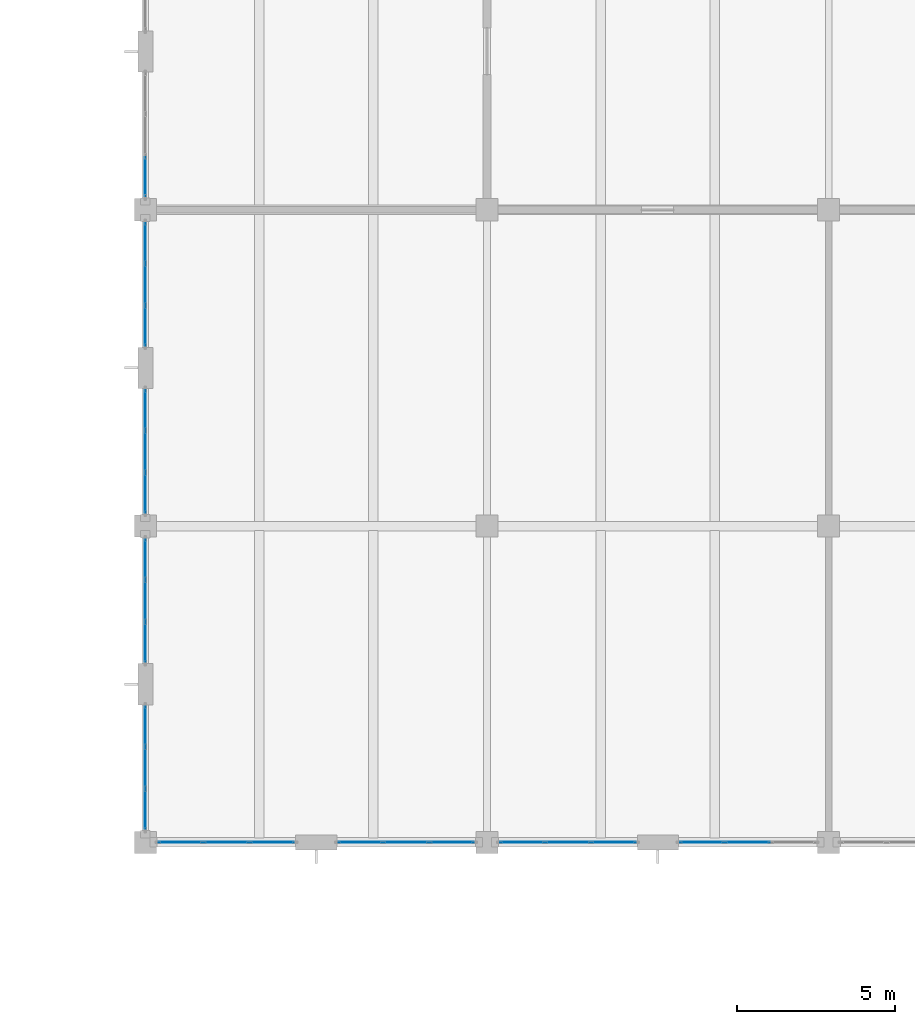
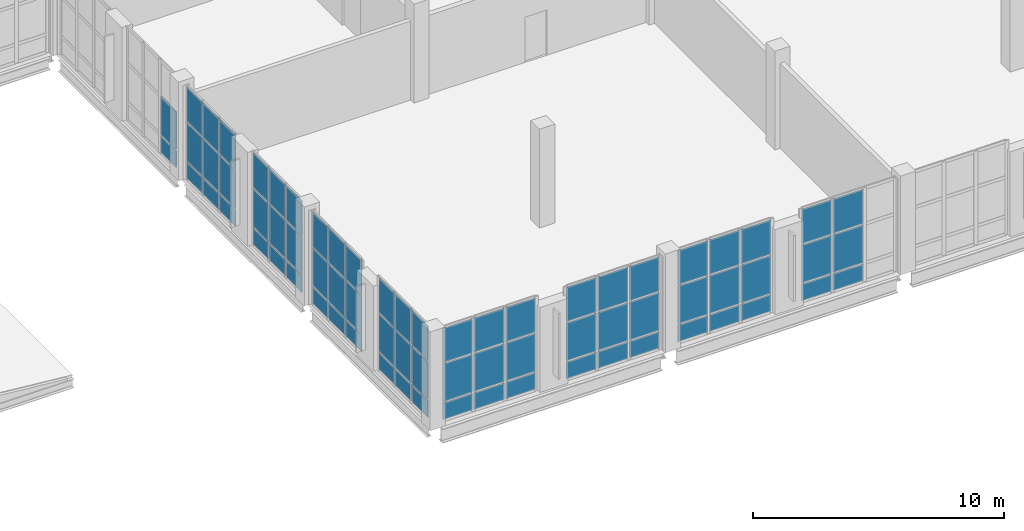
# One storey, part 58 of 92: 71 plates, 9 elements without a shape of their own.
"""IFC4 building model written with IfcOpenShell, lengths in metres."""

from ifc_helpers import new_model, si_unit, direction, frame, origin, origin_2d, place, context, subcontext, project, spatial, rectangle, extrude, material, layer, layer_set, type_object, element, aggregate, save


model = new_model("IFC4")

# Units and contexts
model_context = context("Model", 3, precision=1e-05, world=origin(), true_north=direction((0.0, 1.0)))
body_context = subcontext(model_context, "Body", "Model", "MODEL_VIEW")
ifc_project = project(units=[si_unit("LENGTHUNIT", "METRE"), si_unit("AREAUNIT", "SQUARE_METRE"), si_unit("VOLUMEUNIT", "CUBIC_METRE"), si_unit("PLANEANGLEUNIT", "RADIAN"), si_unit("MASSUNIT", "GRAM", prefix="KILO")], contexts=[model_context])

# Site, building, storey
site_placement = place(None, origin())
site = spatial("IfcSite", under=ifc_project, at=site_placement, CompositionType="ELEMENT")
building_placement = place(site_placement, origin())
building = spatial("IfcBuilding", under=site, at=building_placement, Name="Tasgan Crest Museum", CompositionType="ELEMENT")
storey_placement = place(building_placement, frame((0.0, 0.0, 4.800048828125)))
storey = spatial("IfcBuildingStorey", under=building, at=storey_placement, Name="L01", CompositionType="ELEMENT", Elevation=4.800048828125)

# Curtain wall, plate
ifc_material_1 = material(Name="Triple-Glazed Aluminium Curtain Wall", Category="aluminium")
ifc_layer_1 = layer(ifc_material_1, 0.179931640625, Name="CW-PORCH-Y")
ifc_layer_set_1 = layer_set([ifc_layer_1], Name="Triple-Glazed Aluminium Curtain Wall")
curtain_wall_type_1 = type_object("IfcCurtainWallType", Name="CW-PORCH-Y", PredefinedType="NOTDEFINED", material=ifc_layer_set_1)
curtain_wall_1_placement = place(storey_placement, origin())
curtain_wall_1 = element("IfcCurtainWall", 1, at=curtain_wall_1_placement, inside=storey, type_object=curtain_wall_type_1, Name="Curtain wall L01 038", PredefinedType="NOTDEFINED")
ifc_material_2 = material(Name="Insulated Spandrel Glass", Category="glass")
ifc_layer_2 = layer(ifc_material_2, 0.052001953125, Name="CW-PANEL-SPANDREL")
ifc_layer_set_2 = layer_set([ifc_layer_2], Name="Insulated Spandrel Glass")
plate_type_1 = type_object("IfcPlateType", Name="CW-PANEL-SPANDREL", PredefinedType="CURTAIN_PANEL", material=ifc_layer_set_2)
plate_1_placement = place(storey_placement, frame((108.0, 31.044921875, 0.059814453125), z_axis=(0.0, 0.0, 1.0), x_axis=(0.0, -1.0, 0.0)))
plate_1 = element("IfcPlate", 2, at=plate_1_placement, type_object=plate_type_1, Name="CW02 panel 3.1", PredefinedType="CURTAIN_PANEL", context=body_context, shape_type="SweptSolid", body=[
    extrude(rectangle(XDim=1.239990234375, YDim=0.028076171875, at=origin_2d()), origin(), (0.0, 0.0, 1.0), 0.81005859375),
])

# Curtain wall, plates
curtain_wall_2_placement = place(storey_placement, origin())
curtain_wall_2 = element("IfcCurtainWall", 3, at=curtain_wall_2_placement, inside=storey, type_object=curtain_wall_type_1, Name="Curtain wall L01 039", PredefinedType="NOTDEFINED")
plate_2_placement = place(storey_placement, frame((108.0, 28.955078125, 0.059814453125), z_axis=(0.0, 0.0, 1.0), x_axis=(0.0, -1.0, 0.0)))
plate_2 = element("IfcPlate", 4, at=plate_2_placement, type_object=plate_type_1, Name="CW02 panel 1.1", PredefinedType="CURTAIN_PANEL", context=body_context, shape_type="SweptSolid", body=[
    extrude(rectangle(XDim=1.239990234375, YDim=0.028076171875, at=origin_2d()), origin(), (0.0, 0.0, 1.0), 0.81005859375),
])
plate_3_placement = place(storey_placement, frame((108.0, 27.639892578125, 0.059814453125), z_axis=(0.0, 0.0, 1.0), x_axis=(0.0, -1.0, 0.0)))
plate_3 = element("IfcPlate", 5, at=plate_3_placement, type_object=plate_type_1, Name="CW02 panel 2.1", PredefinedType="CURTAIN_PANEL", context=body_context, shape_type="SweptSolid", body=[
    extrude(rectangle(XDim=1.27001953125, YDim=0.028076171875, at=origin_2d()), origin(), (0.0, 0.0, 1.0), 0.81005859375),
])
plate_4_placement = place(storey_placement, frame((108.0, 26.324951171875, 0.059814453125), z_axis=(0.0, 0.0, 1.0), x_axis=(0.0, -1.0, 0.0)))
plate_4 = element("IfcPlate", 6, at=plate_4_placement, type_object=plate_type_1, Name="CW02 panel 3.1", PredefinedType="CURTAIN_PANEL", context=body_context, shape_type="SweptSolid", body=[
    extrude(rectangle(XDim=1.239990234375, YDim=0.028076171875, at=origin_2d()), origin(), (0.0, 0.0, 1.0), 0.81005859375),
])

curtain_wall_3_placement = place(storey_placement, origin())
curtain_wall_3 = element("IfcCurtainWall", 7, at=curtain_wall_3_placement, inside=storey, type_object=curtain_wall_type_1, Name="Curtain wall L01 040", PredefinedType="NOTDEFINED")
plate_5_placement = place(storey_placement, frame((108.0, 23.675048828125, 0.059814453125), z_axis=(0.0, 0.0, 1.0), x_axis=(0.0, -1.0, 0.0)))
plate_5 = element("IfcPlate", 8, at=plate_5_placement, type_object=plate_type_1, Name="CW02 panel 1.1", PredefinedType="CURTAIN_PANEL", context=body_context, shape_type="SweptSolid", body=[
    extrude(rectangle(XDim=1.239990234375, YDim=0.028076171875, at=origin_2d()), origin(), (0.0, 0.0, 1.0), 0.81005859375),
])
plate_6_placement = place(storey_placement, frame((108.0, 22.360107421875, 0.059814453125), z_axis=(0.0, 0.0, 1.0), x_axis=(0.0, -1.0, 0.0)))
plate_6 = element("IfcPlate", 9, at=plate_6_placement, type_object=plate_type_1, Name="CW02 panel 2.1", PredefinedType="CURTAIN_PANEL", context=body_context, shape_type="SweptSolid", body=[
    extrude(rectangle(XDim=1.27001953125, YDim=0.028076171875, at=origin_2d()), origin(), (0.0, 0.0, 1.0), 0.81005859375),
])
plate_7_placement = place(storey_placement, frame((108.0, 21.044921875, 0.059814453125), z_axis=(0.0, 0.0, 1.0), x_axis=(0.0, -1.0, 0.0)))
plate_7 = element("IfcPlate", 10, at=plate_7_placement, type_object=plate_type_1, Name="CW02 panel 3.1", PredefinedType="CURTAIN_PANEL", context=body_context, shape_type="SweptSolid", body=[
    extrude(rectangle(XDim=1.239990234375, YDim=0.028076171875, at=origin_2d()), origin(), (0.0, 0.0, 1.0), 0.81005859375),
])

curtain_wall_4_placement = place(storey_placement, origin())
curtain_wall_4 = element("IfcCurtainWall", 11, at=curtain_wall_4_placement, inside=storey, type_object=curtain_wall_type_1, Name="Curtain wall L01 041", PredefinedType="NOTDEFINED")
plate_8_placement = place(storey_placement, frame((108.0, 18.955078125, 0.059814453125), z_axis=(0.0, 0.0, 1.0), x_axis=(0.0, -1.0, 0.0)))
plate_8 = element("IfcPlate", 12, at=plate_8_placement, type_object=plate_type_1, Name="CW02 panel 1.1", PredefinedType="CURTAIN_PANEL", context=body_context, shape_type="SweptSolid", body=[
    extrude(rectangle(XDim=1.239990234375, YDim=0.028076171875, at=origin_2d()), origin(), (0.0, 0.0, 1.0), 0.81005859375),
])
plate_9_placement = place(storey_placement, frame((108.0, 17.639892578125, 0.059814453125), z_axis=(0.0, 0.0, 1.0), x_axis=(0.0, -1.0, 0.0)))
plate_9 = element("IfcPlate", 13, at=plate_9_placement, type_object=plate_type_1, Name="CW02 panel 2.1", PredefinedType="CURTAIN_PANEL", context=body_context, shape_type="SweptSolid", body=[
    extrude(rectangle(XDim=1.27001953125, YDim=0.028076171875, at=origin_2d()), origin(), (0.0, 0.0, 1.0), 0.81005859375),
])
plate_10_placement = place(storey_placement, frame((108.0, 16.324951171875, 0.059814453125), z_axis=(0.0, 0.0, 1.0), x_axis=(0.0, -1.0, 0.0)))
plate_10 = element("IfcPlate", 14, at=plate_10_placement, type_object=plate_type_1, Name="CW02 panel 3.1", PredefinedType="CURTAIN_PANEL", context=body_context, shape_type="SweptSolid", body=[
    extrude(rectangle(XDim=1.239990234375, YDim=0.028076171875, at=origin_2d()), origin(), (0.0, 0.0, 1.0), 0.81005859375),
])

curtain_wall_5_placement = place(storey_placement, origin())
curtain_wall_5 = element("IfcCurtainWall", 15, at=curtain_wall_5_placement, inside=storey, type_object=curtain_wall_type_1, Name="Curtain wall L01 042", PredefinedType="NOTDEFINED")
plate_11_placement = place(storey_placement, frame((108.0, 13.675048828125, 0.059814453125), z_axis=(0.0, 0.0, 1.0), x_axis=(0.0, -1.0, 0.0)))
plate_11 = element("IfcPlate", 16, at=plate_11_placement, type_object=plate_type_1, Name="CW02 panel 1.1", PredefinedType="CURTAIN_PANEL", context=body_context, shape_type="SweptSolid", body=[
    extrude(rectangle(XDim=1.239990234375, YDim=0.028076171875, at=origin_2d()), origin(), (0.0, 0.0, 1.0), 0.81005859375),
])
plate_12_placement = place(storey_placement, frame((108.0, 12.360107421875, 0.059814453125), z_axis=(0.0, 0.0, 1.0), x_axis=(0.0, -1.0, 0.0)))
plate_12 = element("IfcPlate", 17, at=plate_12_placement, type_object=plate_type_1, Name="CW02 panel 2.1", PredefinedType="CURTAIN_PANEL", context=body_context, shape_type="SweptSolid", body=[
    extrude(rectangle(XDim=1.27001953125, YDim=0.028076171875, at=origin_2d()), origin(), (0.0, 0.0, 1.0), 0.81005859375),
])
plate_13_placement = place(storey_placement, frame((108.0, 11.044921875, 0.059814453125), z_axis=(0.0, 0.0, 1.0), x_axis=(0.0, -1.0, 0.0)))
plate_13 = element("IfcPlate", 18, at=plate_13_placement, type_object=plate_type_1, Name="CW02 panel 3.1", PredefinedType="CURTAIN_PANEL", context=body_context, shape_type="SweptSolid", body=[
    extrude(rectangle(XDim=1.239990234375, YDim=0.028076171875, at=origin_2d()), origin(), (0.0, 0.0, 1.0), 0.81005859375),
])

ifc_material_3 = material(Name="Triple-Glazed Aluminium Curtain Wall", Category="aluminium")
ifc_layer_3 = layer(ifc_material_3, 0.179931640625, Name="CW-PORCH-X")
ifc_layer_set_3 = layer_set([ifc_layer_3], Name="Triple-Glazed Aluminium Curtain Wall")
curtain_wall_type_2 = type_object("IfcCurtainWallType", Name="CW-PORCH-X", PredefinedType="NOTDEFINED", material=ifc_layer_set_3)
curtain_wall_6_placement = place(storey_placement, origin())
curtain_wall_6 = element("IfcCurtainWall", 19, at=curtain_wall_6_placement, inside=storey, type_object=curtain_wall_type_2, Name="Curtain wall L01 043", PredefinedType="NOTDEFINED")
plate_14_placement = place(storey_placement, frame((109.111572265625, 10.0, 0.059814453125), z_axis=(0.0, 0.0, 1.0), x_axis=(1.0, 0.0, 0.0)))
plate_14 = element("IfcPlate", 20, at=plate_14_placement, type_object=plate_type_1, Name="CW01 panel 1.1", PredefinedType="CURTAIN_PANEL", context=body_context, shape_type="SweptSolid", body=[
    extrude(rectangle(XDim=1.373291015625, YDim=0.028076171875, at=origin_2d()), origin(), (0.0, 0.0, 1.0), 0.81005859375),
])
plate_15_placement = place(storey_placement, frame((110.56005859375, 10.0, 0.059814453125), z_axis=(0.0, 0.0, 1.0), x_axis=(1.0, 0.0, 0.0)))
plate_15 = element("IfcPlate", 21, at=plate_15_placement, type_object=plate_type_1, Name="CW01 panel 2.1", PredefinedType="CURTAIN_PANEL", context=body_context, shape_type="SweptSolid", body=[
    extrude(rectangle(XDim=1.4033203125, YDim=0.028076171875, at=origin_2d()), origin(), (0.0, 0.0, 1.0), 0.81005859375),
])
plate_16_placement = place(storey_placement, frame((112.00830078125, 10.0, 0.059814453125), z_axis=(0.0, 0.0, 1.0), x_axis=(1.0, 0.0, 0.0)))
plate_16 = element("IfcPlate", 22, at=plate_16_placement, type_object=plate_type_1, Name="CW01 panel 3.1", PredefinedType="CURTAIN_PANEL", context=body_context, shape_type="SweptSolid", body=[
    extrude(rectangle(XDim=1.373291015625, YDim=0.028076171875, at=origin_2d()), origin(), (0.0, 0.0, 1.0), 0.81005859375),
])

curtain_wall_7_placement = place(storey_placement, origin())
curtain_wall_7 = element("IfcCurtainWall", 23, at=curtain_wall_7_placement, inside=storey, type_object=curtain_wall_type_2, Name="Curtain wall L01 044", PredefinedType="NOTDEFINED")
plate_17_placement = place(storey_placement, frame((114.791748046875, 10.0, 0.059814453125), z_axis=(0.0, 0.0, 1.0), x_axis=(1.0, 0.0, 0.0)))
plate_17 = element("IfcPlate", 24, at=plate_17_placement, type_object=plate_type_1, Name="CW01 panel 1.1", PredefinedType="CURTAIN_PANEL", context=body_context, shape_type="SweptSolid", body=[
    extrude(rectangle(XDim=1.373291015625, YDim=0.028076171875, at=origin_2d()), origin(), (0.0, 0.0, 1.0), 0.81005859375),
])
plate_18_placement = place(storey_placement, frame((116.239990234375, 10.0, 0.059814453125), z_axis=(0.0, 0.0, 1.0), x_axis=(1.0, 0.0, 0.0)))
plate_18 = element("IfcPlate", 25, at=plate_18_placement, type_object=plate_type_1, Name="CW01 panel 2.1", PredefinedType="CURTAIN_PANEL", context=body_context, shape_type="SweptSolid", body=[
    extrude(rectangle(XDim=1.4033203125, YDim=0.028076171875, at=origin_2d()), origin(), (0.0, 0.0, 1.0), 0.81005859375),
])
plate_19_placement = place(storey_placement, frame((117.688232421875, 10.0, 0.059814453125), z_axis=(0.0, 0.0, 1.0), x_axis=(1.0, 0.0, 0.0)))
plate_19 = element("IfcPlate", 26, at=plate_19_placement, type_object=plate_type_1, Name="CW01 panel 3.1", PredefinedType="CURTAIN_PANEL", context=body_context, shape_type="SweptSolid", body=[
    extrude(rectangle(XDim=1.373291015625, YDim=0.028076171875, at=origin_2d()), origin(), (0.0, 0.0, 1.0), 0.81005859375),
])

curtain_wall_8_placement = place(storey_placement, origin())
curtain_wall_8 = element("IfcCurtainWall", 27, at=curtain_wall_8_placement, inside=storey, type_object=curtain_wall_type_2, Name="Curtain wall L01 045", PredefinedType="NOTDEFINED")
plate_20_placement = place(storey_placement, frame((119.91162109375, 10.0, 0.059814453125), z_axis=(0.0, 0.0, 1.0), x_axis=(1.0, 0.0, 0.0)))
plate_20 = element("IfcPlate", 28, at=plate_20_placement, type_object=plate_type_1, Name="CW01 panel 1.1", PredefinedType="CURTAIN_PANEL", context=body_context, shape_type="SweptSolid", body=[
    extrude(rectangle(XDim=1.373291015625, YDim=0.028076171875, at=origin_2d()), origin(), (0.0, 0.0, 1.0), 0.81005859375),
])
plate_21_placement = place(storey_placement, frame((121.360107421875, 10.0, 0.059814453125), z_axis=(0.0, 0.0, 1.0), x_axis=(1.0, 0.0, 0.0)))
plate_21 = element("IfcPlate", 29, at=plate_21_placement, type_object=plate_type_1, Name="CW01 panel 2.1", PredefinedType="CURTAIN_PANEL", context=body_context, shape_type="SweptSolid", body=[
    extrude(rectangle(XDim=1.4033203125, YDim=0.028076171875, at=origin_2d()), origin(), (0.0, 0.0, 1.0), 0.81005859375),
])
plate_22_placement = place(storey_placement, frame((122.808349609375, 10.0, 0.059814453125), z_axis=(0.0, 0.0, 1.0), x_axis=(1.0, 0.0, 0.0)))
plate_22 = element("IfcPlate", 30, at=plate_22_placement, type_object=plate_type_1, Name="CW01 panel 3.1", PredefinedType="CURTAIN_PANEL", context=body_context, shape_type="SweptSolid", body=[
    extrude(rectangle(XDim=1.373291015625, YDim=0.028076171875, at=origin_2d()), origin(), (0.0, 0.0, 1.0), 0.81005859375),
])

curtain_wall_9_placement = place(storey_placement, origin())
curtain_wall_9 = element("IfcCurtainWall", 31, at=curtain_wall_9_placement, inside=storey, type_object=curtain_wall_type_2, Name="Curtain wall L01 046", PredefinedType="NOTDEFINED")
plate_23_placement = place(storey_placement, frame((125.591552734375, 10.0, 0.059814453125), z_axis=(0.0, 0.0, 1.0), x_axis=(1.0, 0.0, 0.0)))
plate_23 = element("IfcPlate", 32, at=plate_23_placement, type_object=plate_type_1, Name="CW01 panel 1.1", PredefinedType="CURTAIN_PANEL", context=body_context, shape_type="SweptSolid", body=[
    extrude(rectangle(XDim=1.373291015625, YDim=0.028076171875, at=origin_2d()), origin(), (0.0, 0.0, 1.0), 0.81005859375),
])
plate_24_placement = place(storey_placement, frame((127.0400390625, 10.0, 0.059814453125), z_axis=(0.0, 0.0, 1.0), x_axis=(1.0, 0.0, 0.0)))
plate_24 = element("IfcPlate", 33, at=plate_24_placement, type_object=plate_type_1, Name="CW01 panel 2.1", PredefinedType="CURTAIN_PANEL", context=body_context, shape_type="SweptSolid", body=[
    extrude(rectangle(XDim=1.4033203125, YDim=0.028076171875, at=origin_2d()), origin(), (0.0, 0.0, 1.0), 0.81005859375),
])

# Plate
ifc_material_4 = material(Name="Low-E Triple Glazing", Category="glass")
ifc_layer_4 = layer(ifc_material_4, 0.0439453125, Name="CW-PANEL-TRIPLE")
ifc_layer_set_4 = layer_set([ifc_layer_4], Name="Low-E Triple Glazing")
plate_type_2 = type_object("IfcPlateType", Name="CW-PANEL-TRIPLE", PredefinedType="CURTAIN_PANEL", material=ifc_layer_set_4)
plate_25_placement = place(storey_placement, frame((108.0, 31.044921875, 0.9296875), z_axis=(0.0, 0.0, 1.0), x_axis=(0.0, -1.0, 0.0)))
plate_25 = element("IfcPlate", 34, at=plate_25_placement, type_object=plate_type_2, Name="CW02 panel 3.2", PredefinedType="CURTAIN_PANEL", context=body_context, shape_type="SweptSolid", body=[
    extrude(rectangle(XDim=1.239990234375, YDim=0.028076171875, at=origin_2d()), origin(), (0.0, 0.0, 1.0), 1.840087890625),
])

aggregate(curtain_wall_1, [plate_1, plate_25])

plate_26_placement = place(storey_placement, frame((108.0, 28.955078125, 0.9296875), z_axis=(0.0, 0.0, 1.0), x_axis=(0.0, -1.0, 0.0)))
plate_26 = element("IfcPlate", 35, at=plate_26_placement, type_object=plate_type_2, Name="CW02 panel 1.2", PredefinedType="CURTAIN_PANEL", context=body_context, shape_type="SweptSolid", body=[
    extrude(rectangle(XDim=1.239990234375, YDim=0.028076171875, at=origin_2d()), origin(), (0.0, 0.0, 1.0), 1.840087890625),
])

plate_27_placement = place(storey_placement, frame((108.0, 28.955078125, 2.830078125), z_axis=(0.0, 0.0, 1.0), x_axis=(0.0, -1.0, 0.0)))
plate_27 = element("IfcPlate", 36, at=plate_27_placement, type_object=plate_type_2, Name="CW02 panel 1.3", PredefinedType="CURTAIN_PANEL", context=body_context, shape_type="SweptSolid", body=[
    extrude(rectangle(XDim=1.239990234375, YDim=0.028076171875, at=origin_2d()), origin(), (0.0, 0.0, 1.0), 1.669921875),
])

plate_28_placement = place(storey_placement, frame((108.0, 27.639892578125, 0.9296875), z_axis=(0.0, 0.0, 1.0), x_axis=(0.0, -1.0, 0.0)))
plate_28 = element("IfcPlate", 37, at=plate_28_placement, type_object=plate_type_2, Name="CW02 panel 2.2", PredefinedType="CURTAIN_PANEL", context=body_context, shape_type="SweptSolid", body=[
    extrude(rectangle(XDim=1.27001953125, YDim=0.028076171875, at=origin_2d()), origin(), (0.0, 0.0, 1.0), 1.840087890625),
])

plate_29_placement = place(storey_placement, frame((108.0, 27.639892578125, 2.830078125), z_axis=(0.0, 0.0, 1.0), x_axis=(0.0, -1.0, 0.0)))
plate_29 = element("IfcPlate", 38, at=plate_29_placement, type_object=plate_type_2, Name="CW02 panel 2.3", PredefinedType="CURTAIN_PANEL", context=body_context, shape_type="SweptSolid", body=[
    extrude(rectangle(XDim=1.27001953125, YDim=0.028076171875, at=origin_2d()), origin(), (0.0, 0.0, 1.0), 1.669921875),
])

plate_30_placement = place(storey_placement, frame((108.0, 26.324951171875, 0.9296875), z_axis=(0.0, 0.0, 1.0), x_axis=(0.0, -1.0, 0.0)))
plate_30 = element("IfcPlate", 39, at=plate_30_placement, type_object=plate_type_2, Name="CW02 panel 3.2", PredefinedType="CURTAIN_PANEL", context=body_context, shape_type="SweptSolid", body=[
    extrude(rectangle(XDim=1.239990234375, YDim=0.028076171875, at=origin_2d()), origin(), (0.0, 0.0, 1.0), 1.840087890625),
])

plate_31_placement = place(storey_placement, frame((108.0, 26.324951171875, 2.830078125), z_axis=(0.0, 0.0, 1.0), x_axis=(0.0, -1.0, 0.0)))
plate_31 = element("IfcPlate", 40, at=plate_31_placement, type_object=plate_type_2, Name="CW02 panel 3.3", PredefinedType="CURTAIN_PANEL", context=body_context, shape_type="SweptSolid", body=[
    extrude(rectangle(XDim=1.239990234375, YDim=0.028076171875, at=origin_2d()), origin(), (0.0, 0.0, 1.0), 1.669921875),
])

aggregate(curtain_wall_2, [plate_2, plate_26, plate_27, plate_3, plate_28, plate_29, plate_4, plate_30, plate_31])

plate_32_placement = place(storey_placement, frame((108.0, 23.675048828125, 0.9296875), z_axis=(0.0, 0.0, 1.0), x_axis=(0.0, -1.0, 0.0)))
plate_32 = element("IfcPlate", 41, at=plate_32_placement, type_object=plate_type_2, Name="CW02 panel 1.2", PredefinedType="CURTAIN_PANEL", context=body_context, shape_type="SweptSolid", body=[
    extrude(rectangle(XDim=1.239990234375, YDim=0.028076171875, at=origin_2d()), origin(), (0.0, 0.0, 1.0), 1.840087890625),
])

plate_33_placement = place(storey_placement, frame((108.0, 23.675048828125, 2.830078125), z_axis=(0.0, 0.0, 1.0), x_axis=(0.0, -1.0, 0.0)))
plate_33 = element("IfcPlate", 42, at=plate_33_placement, type_object=plate_type_2, Name="CW02 panel 1.3", PredefinedType="CURTAIN_PANEL", context=body_context, shape_type="SweptSolid", body=[
    extrude(rectangle(XDim=1.239990234375, YDim=0.028076171875, at=origin_2d()), origin(), (0.0, 0.0, 1.0), 1.669921875),
])

plate_34_placement = place(storey_placement, frame((108.0, 22.360107421875, 0.9296875), z_axis=(0.0, 0.0, 1.0), x_axis=(0.0, -1.0, 0.0)))
plate_34 = element("IfcPlate", 43, at=plate_34_placement, type_object=plate_type_2, Name="CW02 panel 2.2", PredefinedType="CURTAIN_PANEL", context=body_context, shape_type="SweptSolid", body=[
    extrude(rectangle(XDim=1.27001953125, YDim=0.028076171875, at=origin_2d()), origin(), (0.0, 0.0, 1.0), 1.840087890625),
])

plate_35_placement = place(storey_placement, frame((108.0, 22.360107421875, 2.830078125), z_axis=(0.0, 0.0, 1.0), x_axis=(0.0, -1.0, 0.0)))
plate_35 = element("IfcPlate", 44, at=plate_35_placement, type_object=plate_type_2, Name="CW02 panel 2.3", PredefinedType="CURTAIN_PANEL", context=body_context, shape_type="SweptSolid", body=[
    extrude(rectangle(XDim=1.27001953125, YDim=0.028076171875, at=origin_2d()), origin(), (0.0, 0.0, 1.0), 1.669921875),
])

plate_36_placement = place(storey_placement, frame((108.0, 21.044921875, 0.9296875), z_axis=(0.0, 0.0, 1.0), x_axis=(0.0, -1.0, 0.0)))
plate_36 = element("IfcPlate", 45, at=plate_36_placement, type_object=plate_type_2, Name="CW02 panel 3.2", PredefinedType="CURTAIN_PANEL", context=body_context, shape_type="SweptSolid", body=[
    extrude(rectangle(XDim=1.239990234375, YDim=0.028076171875, at=origin_2d()), origin(), (0.0, 0.0, 1.0), 1.840087890625),
])

plate_37_placement = place(storey_placement, frame((108.0, 21.044921875, 2.830078125), z_axis=(0.0, 0.0, 1.0), x_axis=(0.0, -1.0, 0.0)))
plate_37 = element("IfcPlate", 46, at=plate_37_placement, type_object=plate_type_2, Name="CW02 panel 3.3", PredefinedType="CURTAIN_PANEL", context=body_context, shape_type="SweptSolid", body=[
    extrude(rectangle(XDim=1.239990234375, YDim=0.028076171875, at=origin_2d()), origin(), (0.0, 0.0, 1.0), 1.669921875),
])

aggregate(curtain_wall_3, [plate_5, plate_32, plate_33, plate_6, plate_34, plate_35, plate_7, plate_36, plate_37])

plate_38_placement = place(storey_placement, frame((108.0, 18.955078125, 0.9296875), z_axis=(0.0, 0.0, 1.0), x_axis=(0.0, -1.0, 0.0)))
plate_38 = element("IfcPlate", 47, at=plate_38_placement, type_object=plate_type_2, Name="CW02 panel 1.2", PredefinedType="CURTAIN_PANEL", context=body_context, shape_type="SweptSolid", body=[
    extrude(rectangle(XDim=1.239990234375, YDim=0.028076171875, at=origin_2d()), origin(), (0.0, 0.0, 1.0), 1.840087890625),
])

plate_39_placement = place(storey_placement, frame((108.0, 18.955078125, 2.830078125), z_axis=(0.0, 0.0, 1.0), x_axis=(0.0, -1.0, 0.0)))
plate_39 = element("IfcPlate", 48, at=plate_39_placement, type_object=plate_type_2, Name="CW02 panel 1.3", PredefinedType="CURTAIN_PANEL", context=body_context, shape_type="SweptSolid", body=[
    extrude(rectangle(XDim=1.239990234375, YDim=0.028076171875, at=origin_2d()), origin(), (0.0, 0.0, 1.0), 1.669921875),
])

plate_40_placement = place(storey_placement, frame((108.0, 17.639892578125, 0.9296875), z_axis=(0.0, 0.0, 1.0), x_axis=(0.0, -1.0, 0.0)))
plate_40 = element("IfcPlate", 49, at=plate_40_placement, type_object=plate_type_2, Name="CW02 panel 2.2", PredefinedType="CURTAIN_PANEL", context=body_context, shape_type="SweptSolid", body=[
    extrude(rectangle(XDim=1.27001953125, YDim=0.028076171875, at=origin_2d()), origin(), (0.0, 0.0, 1.0), 1.840087890625),
])

plate_41_placement = place(storey_placement, frame((108.0, 17.639892578125, 2.830078125), z_axis=(0.0, 0.0, 1.0), x_axis=(0.0, -1.0, 0.0)))
plate_41 = element("IfcPlate", 50, at=plate_41_placement, type_object=plate_type_2, Name="CW02 panel 2.3", PredefinedType="CURTAIN_PANEL", context=body_context, shape_type="SweptSolid", body=[
    extrude(rectangle(XDim=1.27001953125, YDim=0.028076171875, at=origin_2d()), origin(), (0.0, 0.0, 1.0), 1.669921875),
])

plate_42_placement = place(storey_placement, frame((108.0, 16.324951171875, 0.9296875), z_axis=(0.0, 0.0, 1.0), x_axis=(0.0, -1.0, 0.0)))
plate_42 = element("IfcPlate", 51, at=plate_42_placement, type_object=plate_type_2, Name="CW02 panel 3.2", PredefinedType="CURTAIN_PANEL", context=body_context, shape_type="SweptSolid", body=[
    extrude(rectangle(XDim=1.239990234375, YDim=0.028076171875, at=origin_2d()), origin(), (0.0, 0.0, 1.0), 1.840087890625),
])

plate_43_placement = place(storey_placement, frame((108.0, 16.324951171875, 2.830078125), z_axis=(0.0, 0.0, 1.0), x_axis=(0.0, -1.0, 0.0)))
plate_43 = element("IfcPlate", 52, at=plate_43_placement, type_object=plate_type_2, Name="CW02 panel 3.3", PredefinedType="CURTAIN_PANEL", context=body_context, shape_type="SweptSolid", body=[
    extrude(rectangle(XDim=1.239990234375, YDim=0.028076171875, at=origin_2d()), origin(), (0.0, 0.0, 1.0), 1.669921875),
])

aggregate(curtain_wall_4, [plate_8, plate_38, plate_39, plate_9, plate_40, plate_41, plate_10, plate_42, plate_43])

plate_44_placement = place(storey_placement, frame((108.0, 13.675048828125, 0.9296875), z_axis=(0.0, 0.0, 1.0), x_axis=(0.0, -1.0, 0.0)))
plate_44 = element("IfcPlate", 53, at=plate_44_placement, type_object=plate_type_2, Name="CW02 panel 1.2", PredefinedType="CURTAIN_PANEL", context=body_context, shape_type="SweptSolid", body=[
    extrude(rectangle(XDim=1.239990234375, YDim=0.028076171875, at=origin_2d()), origin(), (0.0, 0.0, 1.0), 1.840087890625),
])

plate_45_placement = place(storey_placement, frame((108.0, 13.675048828125, 2.830078125), z_axis=(0.0, 0.0, 1.0), x_axis=(0.0, -1.0, 0.0)))
plate_45 = element("IfcPlate", 54, at=plate_45_placement, type_object=plate_type_2, Name="CW02 panel 1.3", PredefinedType="CURTAIN_PANEL", context=body_context, shape_type="SweptSolid", body=[
    extrude(rectangle(XDim=1.239990234375, YDim=0.028076171875, at=origin_2d()), origin(), (0.0, 0.0, 1.0), 1.669921875),
])

plate_46_placement = place(storey_placement, frame((108.0, 12.360107421875, 0.9296875), z_axis=(0.0, 0.0, 1.0), x_axis=(0.0, -1.0, 0.0)))
plate_46 = element("IfcPlate", 55, at=plate_46_placement, type_object=plate_type_2, Name="CW02 panel 2.2", PredefinedType="CURTAIN_PANEL", context=body_context, shape_type="SweptSolid", body=[
    extrude(rectangle(XDim=1.27001953125, YDim=0.028076171875, at=origin_2d()), origin(), (0.0, 0.0, 1.0), 1.840087890625),
])

plate_47_placement = place(storey_placement, frame((108.0, 12.360107421875, 2.830078125), z_axis=(0.0, 0.0, 1.0), x_axis=(0.0, -1.0, 0.0)))
plate_47 = element("IfcPlate", 56, at=plate_47_placement, type_object=plate_type_2, Name="CW02 panel 2.3", PredefinedType="CURTAIN_PANEL", context=body_context, shape_type="SweptSolid", body=[
    extrude(rectangle(XDim=1.27001953125, YDim=0.028076171875, at=origin_2d()), origin(), (0.0, 0.0, 1.0), 1.669921875),
])

plate_48_placement = place(storey_placement, frame((108.0, 11.044921875, 0.9296875), z_axis=(0.0, 0.0, 1.0), x_axis=(0.0, -1.0, 0.0)))
plate_48 = element("IfcPlate", 57, at=plate_48_placement, type_object=plate_type_2, Name="CW02 panel 3.2", PredefinedType="CURTAIN_PANEL", context=body_context, shape_type="SweptSolid", body=[
    extrude(rectangle(XDim=1.239990234375, YDim=0.028076171875, at=origin_2d()), origin(), (0.0, 0.0, 1.0), 1.840087890625),
])

plate_49_placement = place(storey_placement, frame((108.0, 11.044921875, 2.830078125), z_axis=(0.0, 0.0, 1.0), x_axis=(0.0, -1.0, 0.0)))
plate_49 = element("IfcPlate", 58, at=plate_49_placement, type_object=plate_type_2, Name="CW02 panel 3.3", PredefinedType="CURTAIN_PANEL", context=body_context, shape_type="SweptSolid", body=[
    extrude(rectangle(XDim=1.239990234375, YDim=0.028076171875, at=origin_2d()), origin(), (0.0, 0.0, 1.0), 1.669921875),
])

aggregate(curtain_wall_5, [plate_11, plate_44, plate_45, plate_12, plate_46, plate_47, plate_13, plate_48, plate_49])

plate_50_placement = place(storey_placement, frame((109.111572265625, 10.0, 0.9296875), z_axis=(0.0, 0.0, 1.0), x_axis=(1.0, 0.0, 0.0)))
plate_50 = element("IfcPlate", 59, at=plate_50_placement, type_object=plate_type_2, Name="CW01 panel 1.2", PredefinedType="CURTAIN_PANEL", context=body_context, shape_type="SweptSolid", body=[
    extrude(rectangle(XDim=1.373291015625, YDim=0.028076171875, at=origin_2d()), origin(), (0.0, 0.0, 1.0), 1.840087890625),
])

plate_51_placement = place(storey_placement, frame((109.111572265625, 10.0, 2.830078125), z_axis=(0.0, 0.0, 1.0), x_axis=(1.0, 0.0, 0.0)))
plate_51 = element("IfcPlate", 60, at=plate_51_placement, type_object=plate_type_2, Name="CW01 panel 1.3", PredefinedType="CURTAIN_PANEL", context=body_context, shape_type="SweptSolid", body=[
    extrude(rectangle(XDim=1.373291015625, YDim=0.028076171875, at=origin_2d()), origin(), (0.0, 0.0, 1.0), 1.669921875),
])

plate_52_placement = place(storey_placement, frame((110.56005859375, 10.0, 0.9296875), z_axis=(0.0, 0.0, 1.0), x_axis=(1.0, 0.0, 0.0)))
plate_52 = element("IfcPlate", 61, at=plate_52_placement, type_object=plate_type_2, Name="CW01 panel 2.2", PredefinedType="CURTAIN_PANEL", context=body_context, shape_type="SweptSolid", body=[
    extrude(rectangle(XDim=1.4033203125, YDim=0.028076171875, at=origin_2d()), origin(), (0.0, 0.0, 1.0), 1.840087890625),
])

plate_53_placement = place(storey_placement, frame((110.56005859375, 10.0, 2.830078125), z_axis=(0.0, 0.0, 1.0), x_axis=(1.0, 0.0, 0.0)))
plate_53 = element("IfcPlate", 62, at=plate_53_placement, type_object=plate_type_2, Name="CW01 panel 2.3", PredefinedType="CURTAIN_PANEL", context=body_context, shape_type="SweptSolid", body=[
    extrude(rectangle(XDim=1.4033203125, YDim=0.028076171875, at=origin_2d()), origin(), (0.0, 0.0, 1.0), 1.669921875),
])

plate_54_placement = place(storey_placement, frame((112.00830078125, 10.0, 0.9296875), z_axis=(0.0, 0.0, 1.0), x_axis=(1.0, 0.0, 0.0)))
plate_54 = element("IfcPlate", 63, at=plate_54_placement, type_object=plate_type_2, Name="CW01 panel 3.2", PredefinedType="CURTAIN_PANEL", context=body_context, shape_type="SweptSolid", body=[
    extrude(rectangle(XDim=1.373291015625, YDim=0.028076171875, at=origin_2d()), origin(), (0.0, 0.0, 1.0), 1.840087890625),
])

plate_55_placement = place(storey_placement, frame((112.00830078125, 10.0, 2.830078125), z_axis=(0.0, 0.0, 1.0), x_axis=(1.0, 0.0, 0.0)))
plate_55 = element("IfcPlate", 64, at=plate_55_placement, type_object=plate_type_2, Name="CW01 panel 3.3", PredefinedType="CURTAIN_PANEL", context=body_context, shape_type="SweptSolid", body=[
    extrude(rectangle(XDim=1.373291015625, YDim=0.028076171875, at=origin_2d()), origin(), (0.0, 0.0, 1.0), 1.669921875),
])

aggregate(curtain_wall_6, [plate_14, plate_50, plate_51, plate_15, plate_52, plate_53, plate_16, plate_54, plate_55])

plate_56_placement = place(storey_placement, frame((114.791748046875, 10.0, 0.9296875), z_axis=(0.0, 0.0, 1.0), x_axis=(1.0, 0.0, 0.0)))
plate_56 = element("IfcPlate", 65, at=plate_56_placement, type_object=plate_type_2, Name="CW01 panel 1.2", PredefinedType="CURTAIN_PANEL", context=body_context, shape_type="SweptSolid", body=[
    extrude(rectangle(XDim=1.373291015625, YDim=0.028076171875, at=origin_2d()), origin(), (0.0, 0.0, 1.0), 1.840087890625),
])

plate_57_placement = place(storey_placement, frame((114.791748046875, 10.0, 2.830078125), z_axis=(0.0, 0.0, 1.0), x_axis=(1.0, 0.0, 0.0)))
plate_57 = element("IfcPlate", 66, at=plate_57_placement, type_object=plate_type_2, Name="CW01 panel 1.3", PredefinedType="CURTAIN_PANEL", context=body_context, shape_type="SweptSolid", body=[
    extrude(rectangle(XDim=1.373291015625, YDim=0.028076171875, at=origin_2d()), origin(), (0.0, 0.0, 1.0), 1.669921875),
])

plate_58_placement = place(storey_placement, frame((116.239990234375, 10.0, 0.9296875), z_axis=(0.0, 0.0, 1.0), x_axis=(1.0, 0.0, 0.0)))
plate_58 = element("IfcPlate", 67, at=plate_58_placement, type_object=plate_type_2, Name="CW01 panel 2.2", PredefinedType="CURTAIN_PANEL", context=body_context, shape_type="SweptSolid", body=[
    extrude(rectangle(XDim=1.4033203125, YDim=0.028076171875, at=origin_2d()), origin(), (0.0, 0.0, 1.0), 1.840087890625),
])

plate_59_placement = place(storey_placement, frame((116.239990234375, 10.0, 2.830078125), z_axis=(0.0, 0.0, 1.0), x_axis=(1.0, 0.0, 0.0)))
plate_59 = element("IfcPlate", 68, at=plate_59_placement, type_object=plate_type_2, Name="CW01 panel 2.3", PredefinedType="CURTAIN_PANEL", context=body_context, shape_type="SweptSolid", body=[
    extrude(rectangle(XDim=1.4033203125, YDim=0.028076171875, at=origin_2d()), origin(), (0.0, 0.0, 1.0), 1.669921875),
])

plate_60_placement = place(storey_placement, frame((117.688232421875, 10.0, 0.9296875), z_axis=(0.0, 0.0, 1.0), x_axis=(1.0, 0.0, 0.0)))
plate_60 = element("IfcPlate", 69, at=plate_60_placement, type_object=plate_type_2, Name="CW01 panel 3.2", PredefinedType="CURTAIN_PANEL", context=body_context, shape_type="SweptSolid", body=[
    extrude(rectangle(XDim=1.373291015625, YDim=0.028076171875, at=origin_2d()), origin(), (0.0, 0.0, 1.0), 1.840087890625),
])

plate_61_placement = place(storey_placement, frame((117.688232421875, 10.0, 2.830078125), z_axis=(0.0, 0.0, 1.0), x_axis=(1.0, 0.0, 0.0)))
plate_61 = element("IfcPlate", 70, at=plate_61_placement, type_object=plate_type_2, Name="CW01 panel 3.3", PredefinedType="CURTAIN_PANEL", context=body_context, shape_type="SweptSolid", body=[
    extrude(rectangle(XDim=1.373291015625, YDim=0.028076171875, at=origin_2d()), origin(), (0.0, 0.0, 1.0), 1.669921875),
])

aggregate(curtain_wall_7, [plate_17, plate_56, plate_57, plate_18, plate_58, plate_59, plate_19, plate_60, plate_61])

plate_62_placement = place(storey_placement, frame((119.91162109375, 10.0, 0.9296875), z_axis=(0.0, 0.0, 1.0), x_axis=(1.0, 0.0, 0.0)))
plate_62 = element("IfcPlate", 71, at=plate_62_placement, type_object=plate_type_2, Name="CW01 panel 1.2", PredefinedType="CURTAIN_PANEL", context=body_context, shape_type="SweptSolid", body=[
    extrude(rectangle(XDim=1.373291015625, YDim=0.028076171875, at=origin_2d()), origin(), (0.0, 0.0, 1.0), 1.840087890625),
])

plate_63_placement = place(storey_placement, frame((119.91162109375, 10.0, 2.830078125), z_axis=(0.0, 0.0, 1.0), x_axis=(1.0, 0.0, 0.0)))
plate_63 = element("IfcPlate", 72, at=plate_63_placement, type_object=plate_type_2, Name="CW01 panel 1.3", PredefinedType="CURTAIN_PANEL", context=body_context, shape_type="SweptSolid", body=[
    extrude(rectangle(XDim=1.373291015625, YDim=0.028076171875, at=origin_2d()), origin(), (0.0, 0.0, 1.0), 1.669921875),
])

plate_64_placement = place(storey_placement, frame((121.360107421875, 10.0, 0.9296875), z_axis=(0.0, 0.0, 1.0), x_axis=(1.0, 0.0, 0.0)))
plate_64 = element("IfcPlate", 73, at=plate_64_placement, type_object=plate_type_2, Name="CW01 panel 2.2", PredefinedType="CURTAIN_PANEL", context=body_context, shape_type="SweptSolid", body=[
    extrude(rectangle(XDim=1.4033203125, YDim=0.028076171875, at=origin_2d()), origin(), (0.0, 0.0, 1.0), 1.840087890625),
])

plate_65_placement = place(storey_placement, frame((121.360107421875, 10.0, 2.830078125), z_axis=(0.0, 0.0, 1.0), x_axis=(1.0, 0.0, 0.0)))
plate_65 = element("IfcPlate", 74, at=plate_65_placement, type_object=plate_type_2, Name="CW01 panel 2.3", PredefinedType="CURTAIN_PANEL", context=body_context, shape_type="SweptSolid", body=[
    extrude(rectangle(XDim=1.4033203125, YDim=0.028076171875, at=origin_2d()), origin(), (0.0, 0.0, 1.0), 1.669921875),
])

plate_66_placement = place(storey_placement, frame((122.808349609375, 10.0, 0.9296875), z_axis=(0.0, 0.0, 1.0), x_axis=(1.0, 0.0, 0.0)))
plate_66 = element("IfcPlate", 75, at=plate_66_placement, type_object=plate_type_2, Name="CW01 panel 3.2", PredefinedType="CURTAIN_PANEL", context=body_context, shape_type="SweptSolid", body=[
    extrude(rectangle(XDim=1.373291015625, YDim=0.028076171875, at=origin_2d()), origin(), (0.0, 0.0, 1.0), 1.840087890625),
])

plate_67_placement = place(storey_placement, frame((122.808349609375, 10.0, 2.830078125), z_axis=(0.0, 0.0, 1.0), x_axis=(1.0, 0.0, 0.0)))
plate_67 = element("IfcPlate", 76, at=plate_67_placement, type_object=plate_type_2, Name="CW01 panel 3.3", PredefinedType="CURTAIN_PANEL", context=body_context, shape_type="SweptSolid", body=[
    extrude(rectangle(XDim=1.373291015625, YDim=0.028076171875, at=origin_2d()), origin(), (0.0, 0.0, 1.0), 1.669921875),
])

aggregate(curtain_wall_8, [plate_20, plate_62, plate_63, plate_21, plate_64, plate_65, plate_22, plate_66, plate_67])

plate_68_placement = place(storey_placement, frame((125.591552734375, 10.0, 0.9296875), z_axis=(0.0, 0.0, 1.0), x_axis=(1.0, 0.0, 0.0)))
plate_68 = element("IfcPlate", 77, at=plate_68_placement, type_object=plate_type_2, Name="CW01 panel 1.2", PredefinedType="CURTAIN_PANEL", context=body_context, shape_type="SweptSolid", body=[
    extrude(rectangle(XDim=1.373291015625, YDim=0.028076171875, at=origin_2d()), origin(), (0.0, 0.0, 1.0), 1.840087890625),
])

plate_69_placement = place(storey_placement, frame((125.591552734375, 10.0, 2.830078125), z_axis=(0.0, 0.0, 1.0), x_axis=(1.0, 0.0, 0.0)))
plate_69 = element("IfcPlate", 78, at=plate_69_placement, type_object=plate_type_2, Name="CW01 panel 1.3", PredefinedType="CURTAIN_PANEL", context=body_context, shape_type="SweptSolid", body=[
    extrude(rectangle(XDim=1.373291015625, YDim=0.028076171875, at=origin_2d()), origin(), (0.0, 0.0, 1.0), 1.669921875),
])

plate_70_placement = place(storey_placement, frame((127.0400390625, 10.0, 0.9296875), z_axis=(0.0, 0.0, 1.0), x_axis=(1.0, 0.0, 0.0)))
plate_70 = element("IfcPlate", 79, at=plate_70_placement, type_object=plate_type_2, Name="CW01 panel 2.2", PredefinedType="CURTAIN_PANEL", context=body_context, shape_type="SweptSolid", body=[
    extrude(rectangle(XDim=1.4033203125, YDim=0.028076171875, at=origin_2d()), origin(), (0.0, 0.0, 1.0), 1.840087890625),
])

plate_71_placement = place(storey_placement, frame((127.0400390625, 10.0, 2.830078125), z_axis=(0.0, 0.0, 1.0), x_axis=(1.0, 0.0, 0.0)))
plate_71 = element("IfcPlate", 80, at=plate_71_placement, type_object=plate_type_2, Name="CW01 panel 2.3", PredefinedType="CURTAIN_PANEL", context=body_context, shape_type="SweptSolid", body=[
    extrude(rectangle(XDim=1.4033203125, YDim=0.028076171875, at=origin_2d()), origin(), (0.0, 0.0, 1.0), 1.669921875),
])

aggregate(curtain_wall_9, [plate_23, plate_68, plate_69, plate_24, plate_70, plate_71])

save(model, "model.ifc")
